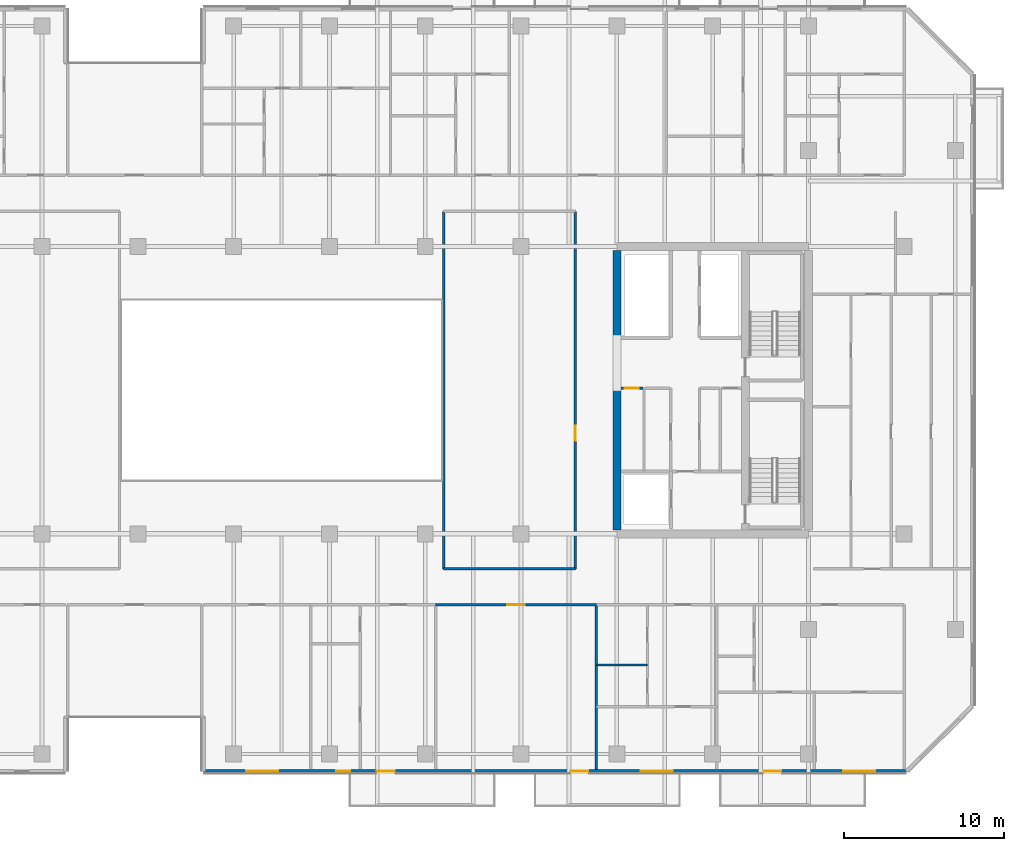
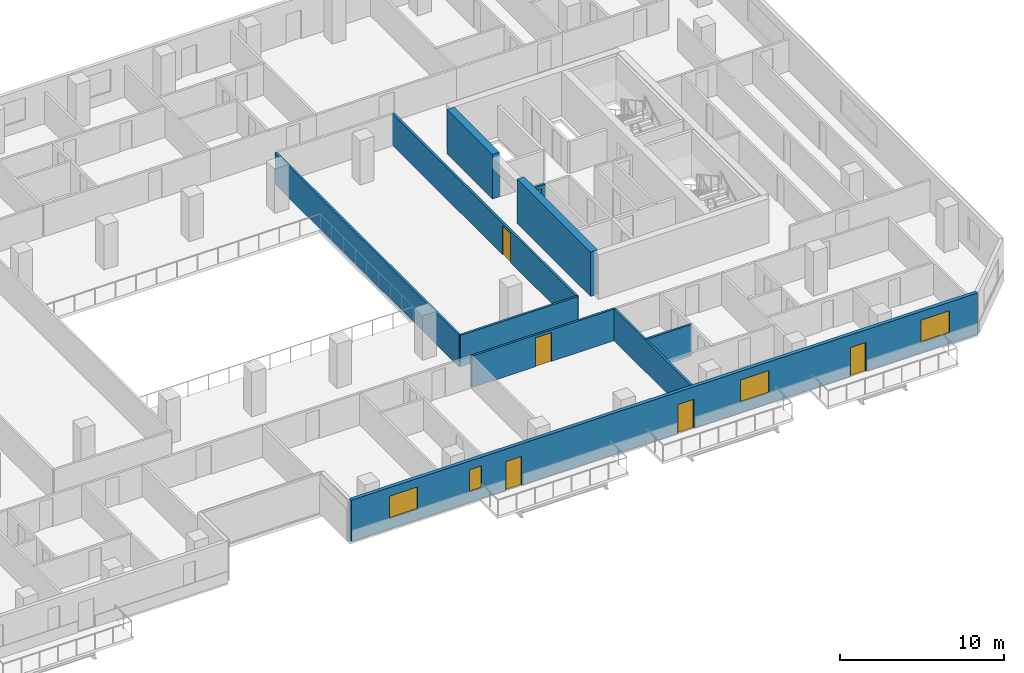
# One storey, part 12 of 23: 10 walls, 6 doors, 4 windows, 10 openings.
"""IFC4 building model written with IfcOpenShell, lengths in metres."""

from ifc_helpers import new_model, si_unit, direction, frame, frame_2d, origin, place, context, subcontext, project, spatial, rectangle, extrude, material, layer, layer_set, type_object, element, fill, save


model = new_model("IFC4")

# Units and contexts
model_context = context("Model", 3, precision=1e-05, world=origin(), true_north=direction((0.0, 1.0)))
body_context = subcontext(model_context, "Body", "Model", "MODEL_VIEW")
ifc_project = project(units=[si_unit("LENGTHUNIT", "METRE"), si_unit("AREAUNIT", "SQUARE_METRE"), si_unit("VOLUMEUNIT", "CUBIC_METRE"), si_unit("PLANEANGLEUNIT", "RADIAN"), si_unit("MASSUNIT", "GRAM", prefix="KILO")], contexts=[model_context])

# Site, building, storey
site_placement = place(None, origin())
site = spatial("IfcSite", under=ifc_project, at=site_placement, CompositionType="ELEMENT")
building_placement = place(site_placement, origin())
building = spatial("IfcBuilding", under=site, at=building_placement, Name="Tanjung Sevakor Pilgrim Tower", CompositionType="ELEMENT")
storey_placement = place(building_placement, frame((0.0, 0.0, 85.469970703125)))
storey = spatial("IfcBuildingStorey", under=building, at=storey_placement, Name="L23", CompositionType="ELEMENT", Elevation=85.469970703125)

# Walls
ifc_material_1 = material(Name="Concrete C60/75", Category="concrete")
ifc_layer_1 = layer(ifc_material_1, 0.5)
ifc_layer_set_1 = layer_set([ifc_layer_1], Name="WALL-CW-500")
wall_type_1 = type_object("IfcWallType", Name="WALL-CW-500", PredefinedType="SHEAR", material=ifc_layer_set_1)
wall_1_placement = place(storey_placement, frame((78.0, 24.85009765625, 0.0), z_axis=(0.0, 0.0, 1.0), x_axis=(0.0, 1.0, 0.0)))
element("IfcWall", 1, at=wall_1_placement, inside=storey, type_object=wall_type_1, Name="L23 E Core Inner Shear Wall South", PredefinedType="SHEAR", context=body_context, shape_type="SweptSolid", body=[
    extrude(rectangle(XDim=8.949951171875, YDim=0.5, at=frame_2d((4.47509765625, 0.0))), origin(), (0.0, 0.0, 1.0), 3.300048828125),
])
wall_2_placement = place(storey_placement, frame((78.0, 36.800048828125, 0.0), z_axis=(0.0, 0.0, 1.0), x_axis=(0.0, 1.0, 0.0)))
element("IfcWall", 2, at=wall_2_placement, inside=storey, type_object=wall_type_1, Name="L23 E Core Inner Shear Wall North", PredefinedType="SHEAR", context=body_context, shape_type="SweptSolid", body=[
    extrude(rectangle(XDim=5.550048828125, YDim=0.5, at=frame_2d((2.77490234375, 0.0))), origin(), (0.0, 0.0, 1.0), 3.300048828125),
])

# Wall, opening, door
ifc_material_2 = material(Name="Concrete C40/50", Category="concrete")
ifc_layer_2 = layer(ifc_material_2, 0.14990234375)
ifc_layer_set_2 = layer_set([ifc_layer_2], Name="WT-COMP-150")
wall_type_2 = type_object("IfcWallType", Name="WT-COMP-150", PredefinedType="SOLIDWALL", material=ifc_layer_set_2)
wall_3_placement = place(storey_placement, frame((78.27001953125, 33.719970703125, 0.0), z_axis=(0.0, 0.0, 1.0), x_axis=(1.0, 0.0, 0.0)))
wall_3 = element("IfcWall", 3, at=wall_3_placement, inside=storey, type_object=wall_type_2, Name="L23 Partition IW-L23-023", PredefinedType="SOLIDWALL", context=body_context, shape_type="SweptSolid", body=[
    extrude(rectangle(XDim=1.369873046875, YDim=0.14990234375, at=frame_2d((0.68505859375, 0.0))), origin(), (0.0, 0.0, 1.0), 2.35009765625),
])
opening_1_placement = place(wall_3_placement, frame((0.239990234375, 0.0, 0.0)))
opening_1 = element("IfcOpeningElement", 4, at=opening_1_placement, cuts=wall_3, Name="Opening ID-FD3", PredefinedType="OPENING", context=body_context, shape_type="SweptSolid", body=[
    extrude(rectangle(XDim=0.85009765625, YDim=2.10009765625, at=frame_2d((0.425048828125, 1.050048828125))), frame((0.0, 0.0849609375, 0.0), z_axis=(0.0, -1.0, 0.0), x_axis=(1.0, 0.0, 0.0)), (0.0, 0.0, 1.0), 0.169921875),
])
ifc_material_3 = material(Name="Fire-Rated Timber", Category="wood")
door_type_1 = type_object("IfcDoorType", Name="DT-FIRE-850", OperationType="NOTDEFINED", PredefinedType="DOOR", material=ifc_material_3)
door_1_placement = place(opening_1_placement, origin())
door_1 = element("IfcDoor", 5, at=door_1_placement, inside=storey, type_object=door_type_1, Name="L23 Service Store Door", OperationType="SINGLE_SWING_LEFT", OverallHeight=2.10009765625, OverallWidth=0.85009765625, PredefinedType="DOOR", context=body_context, shape_type="SweptSolid", body=[
    extrude(rectangle(XDim=0.85009765625, YDim=2.10009765625, at=frame_2d((0.425048828125, 1.050048828125))), frame((0.0, 0.02490234375, 0.0), z_axis=(0.0, -1.0, 0.0), x_axis=(1.0, 0.0, 0.0)), (0.0, 0.0, 1.0), 0.050048828125),
])
fill(opening_1, door_1)

# Walls
wall_4_placement = place(storey_placement, frame((67.14990234375, 22.39990234375, 0.0), z_axis=(0.0, 0.0, 1.0), x_axis=(1.0, 0.0, 0.0)))
element("IfcWall", 6, at=wall_4_placement, inside=storey, type_object=wall_type_2, Name="L23 Partition IW-L23-033", PredefinedType="SOLIDWALL", context=body_context, shape_type="SweptSolid", body=[
    extrude(rectangle(XDim=8.25, YDim=0.14990234375, at=frame_2d((4.125, 0.0))), origin(), (0.0, 0.0, 1.0), 2.35009765625),
])
wall_5_placement = place(storey_placement, frame((67.14990234375, 22.39990234375, 0.0), z_axis=(0.0, 0.0, 1.0), x_axis=(0.0, 1.0, 0.0)))
element("IfcWall", 7, at=wall_5_placement, inside=storey, type_object=wall_type_2, Name="L23 Partition IW-L23-035", PredefinedType="SOLIDWALL", context=body_context, shape_type="SweptSolid", body=[
    extrude(rectangle(XDim=22.400146484375, YDim=0.14990234375, at=frame_2d((11.2001953125, 0.0))), origin(), (0.0, 0.0, 1.0), 2.35009765625),
])

# Wall, opening, door
wall_6_placement = place(storey_placement, frame((75.39990234375, 22.39990234375, 0.0), z_axis=(0.0, 0.0, 1.0), x_axis=(0.0, 1.0, 0.0)))
wall_6 = element("IfcWall", 8, at=wall_6_placement, inside=storey, type_object=wall_type_2, Name="L23 Partition IW-L23-036", PredefinedType="SOLIDWALL", context=body_context, shape_type="SweptSolid", body=[
    extrude(rectangle(XDim=22.400146484375, YDim=0.14990234375, at=frame_2d((11.2001953125, 0.0))), origin(), (0.0, 0.0, 1.0), 2.35009765625),
])
opening_2_placement = place(wall_6_placement, frame((8.02490234375, 0.0, 0.0)))
opening_2 = element("IfcOpeningElement", 9, at=opening_2_placement, cuts=wall_6, Name="Opening ID-RM1", PredefinedType="OPENING", context=body_context, shape_type="SweptSolid", body=[
    extrude(rectangle(XDim=0.949951171875, YDim=2.14990234375, at=frame_2d((0.47509765625, 1.074951171875))), frame((0.0, 0.0849609375, 0.0), z_axis=(0.0, -1.0, 0.0), x_axis=(1.0, 0.0, 0.0)), (0.0, 0.0, 1.0), 0.169921875),
])
ifc_material_4 = material(Name="Hardwood Timber", Category="wood")
door_type_2 = type_object("IfcDoorType", Name="DT-INT-950", OperationType="NOTDEFINED", PredefinedType="DOOR", material=ifc_material_4)
door_2_placement = place(opening_2_placement, origin())
door_2 = element("IfcDoor", 10, at=door_2_placement, inside=storey, type_object=door_type_2, Name="L23 Central East Room Door", OperationType="SINGLE_SWING_RIGHT", OverallHeight=2.14990234375, OverallWidth=0.949951171875, PredefinedType="DOOR", context=body_context, shape_type="SweptSolid", body=[
    extrude(rectangle(XDim=0.949951171875, YDim=2.14990234375, at=frame_2d((0.47509765625, 1.074951171875))), frame((0.0, 0.02490234375, 0.0), z_axis=(0.0, -1.0, 0.0), x_axis=(1.0, 0.0, 0.0)), (0.0, 0.0, 1.0), 0.050048828125),
])
fill(opening_2, door_2)

# Wall
wall_7_placement = place(storey_placement, frame((76.715087890625, 9.85009765625, 0.0), z_axis=(0.0, 0.0, 1.0), x_axis=(0.0, 1.0, 0.0)))
element("IfcWall", 11, at=wall_7_placement, inside=storey, type_object=wall_type_2, Name="L23 Partition IW-L23-071", PredefinedType="SOLIDWALL", context=body_context, shape_type="SweptSolid", body=[
    extrude(rectangle(XDim=10.2998046875, YDim=0.14990234375, at=frame_2d((5.14990234375, 0.0))), origin(), (0.0, 0.0, 1.0), 2.35009765625),
])

# Wall, opening, door
wall_8_placement = place(storey_placement, frame((66.653564453125, 20.14990234375, 0.0), z_axis=(0.0, 0.0, 1.0), x_axis=(1.0, 0.0, 0.0)))
wall_8 = element("IfcWall", 12, at=wall_8_placement, inside=storey, type_object=wall_type_2, Name="L23 Partition IW-L23-072", PredefinedType="SOLIDWALL", context=body_context, shape_type="SweptSolid", body=[
    extrude(rectangle(XDim=10.0615234375, YDim=0.14990234375, at=frame_2d((5.03076171875, 0.0))), origin(), (0.0, 0.0, 1.0), 2.35009765625),
])
opening_3_placement = place(wall_8_placement, frame((4.48095703125, 0.0, 0.0)))
opening_3 = element("IfcOpeningElement", 13, at=opening_3_placement, cuts=wall_8, Name="Opening ID-FD0", PredefinedType="OPENING", context=body_context, shape_type="SweptSolid", body=[
    extrude(rectangle(XDim=1.10009765625, YDim=2.14990234375, at=frame_2d((0.550048828125, 1.074951171875))), frame((0.0, 0.0849609375, 0.0), z_axis=(0.0, -1.0, 0.0), x_axis=(1.0, 0.0, 0.0)), (0.0, 0.0, 1.0), 0.169921875),
])
ifc_material_5 = material(Name="Fire-Rated Steel S355J2", Category="steel")
door_type_3 = type_object("IfcDoorType", Name="DT-FIRE-1100", OperationType="NOTDEFINED", PredefinedType="DOOR", material=ifc_material_5)
door_3_placement = place(opening_3_placement, origin())
door_3 = element("IfcDoor", 14, at=door_3_placement, inside=storey, type_object=door_type_3, Name="Seminar Room Door", OperationType="SINGLE_SWING_RIGHT", OverallHeight=2.14990234375, OverallWidth=1.10009765625, PredefinedType="DOOR", context=body_context, shape_type="SweptSolid", body=[
    extrude(rectangle(XDim=1.10009765625, YDim=2.14990234375, at=frame_2d((0.550048828125, 1.074951171875))), frame((0.0, 0.02490234375, 0.0), z_axis=(0.0, -1.0, 0.0), x_axis=(1.0, 0.0, 0.0)), (0.0, 0.0, 1.0), 0.050048828125),
])
fill(opening_3, door_3)

# Wall, openings, doors, windows
ifc_material_6 = material(Name="Precast concrete C45/55", Category="concrete")
ifc_layer_3 = layer(ifc_material_6, 0.25)
ifc_layer_set_3 = layer_set([ifc_layer_3], Name="WT-EW-STN3")
wall_type_3 = type_object("IfcWallType", Name="WT-EW-STN3", PredefinedType="SOLIDWALL", material=ifc_layer_set_3)
wall_9_placement = place(storey_placement, frame((52.125, 9.72509765625, 0.0), z_axis=(0.0, 0.0, 1.0), x_axis=(1.0, 0.0, 0.0)))
wall_9 = element("IfcWall", 15, at=wall_9_placement, inside=storey, type_object=wall_type_3, Name="L23 MAIN Exterior Wall 5", PredefinedType="SOLIDWALL", context=body_context, shape_type="SweptSolid", body=[
    extrude(rectangle(XDim=44.023193359375, YDim=0.25, at=frame_2d((22.01171875, 0.0))), origin(), (0.0, 0.0, 1.0), 3.080078125),
])
opening_4_placement = place(wall_9_placement, frame((10.875, 0.0, 0.0)))
opening_4 = element("IfcOpeningElement", 16, at=opening_4_placement, cuts=wall_9, Name="Opening ED-BAL-1100", PredefinedType="OPENING", context=body_context, shape_type="SweptSolid", body=[
    extrude(rectangle(XDim=1.10009765625, YDim=2.14990234375, at=frame_2d((0.550048828125, 1.074951171875))), frame((0.0, 0.135009765625, 0.0), z_axis=(0.0, -1.0, 0.0), x_axis=(1.0, 0.0, 0.0)), (0.0, 0.0, 1.0), 0.27001953125),
])
opening_5_placement = place(wall_9_placement, frame((22.97509765625, 0.0, 0.0)))
opening_5 = element("IfcOpeningElement", 17, at=opening_5_placement, cuts=wall_9, Name="Opening ED-BAL-1100", PredefinedType="OPENING", context=body_context, shape_type="SweptSolid", body=[
    extrude(rectangle(XDim=1.10009765625, YDim=2.14990234375, at=frame_2d((0.550048828125, 1.074951171875))), frame((0.0, 0.135009765625, 0.0), z_axis=(0.0, -1.0, 0.0), x_axis=(1.0, 0.0, 0.0)), (0.0, 0.0, 1.0), 0.27001953125),
])
opening_6_placement = place(wall_9_placement, frame((35.074951171875, 0.0, 0.0)))
opening_6 = element("IfcOpeningElement", 18, at=opening_6_placement, cuts=wall_9, Name="Opening ED-BAL-1100", PredefinedType="OPENING", context=body_context, shape_type="SweptSolid", body=[
    extrude(rectangle(XDim=1.10009765625, YDim=2.14990234375, at=frame_2d((0.550048828125, 1.074951171875))), frame((0.0, 0.135009765625, 0.0), z_axis=(0.0, -1.0, 0.0), x_axis=(1.0, 0.0, 0.0)), (0.0, 0.0, 1.0), 0.27001953125),
])
opening_7_placement = place(wall_9_placement, frame((2.6689453125, 0.0, 0.780029296875)))
opening_7 = element("IfcOpeningElement", 19, at=opening_7_placement, cuts=wall_9, Name="Opening WN-Z2-1660", PredefinedType="OPENING", context=body_context, shape_type="SweptSolid", body=[
    extrude(rectangle(XDim=2.0, YDim=1.659912109375, at=frame_2d((1.0, 0.830078125))), frame((0.0, 0.135009765625, 0.0), z_axis=(0.0, -1.0, 0.0), x_axis=(1.0, 0.0, 0.0)), (0.0, 0.0, 1.0), 0.27001953125),
])
opening_8_placement = place(wall_9_placement, frame((8.31396484375, 0.0, 0.780029296875)))
opening_8 = element("IfcOpeningElement", 20, at=opening_8_placement, cuts=wall_9, Name="Opening WN-SLM", PredefinedType="OPENING", context=body_context, shape_type="SweptSolid", body=[
    extrude(rectangle(XDim=0.85009765625, YDim=1.64990234375, at=frame_2d((0.425048828125, 0.824951171875))), frame((0.0, 0.135009765625, 0.0), z_axis=(0.0, -1.0, 0.0), x_axis=(1.0, 0.0, 0.0)), (0.0, 0.0, 1.0), 0.27001953125),
])
opening_9_placement = place(wall_9_placement, frame((27.36328125, 0.0, 0.780029296875)))
opening_9 = element("IfcOpeningElement", 21, at=opening_9_placement, cuts=wall_9, Name="Opening WN-Z2-1660", PredefinedType="OPENING", context=body_context, shape_type="SweptSolid", body=[
    extrude(rectangle(XDim=2.0, YDim=1.659912109375, at=frame_2d((1.0, 0.830078125))), frame((0.0, 0.135009765625, 0.0), z_axis=(0.0, -1.0, 0.0), x_axis=(1.0, 0.0, 0.0)), (0.0, 0.0, 1.0), 0.27001953125),
])
opening_10_placement = place(wall_9_placement, frame((40.0478515625, 0.0, 0.780029296875)))
opening_10 = element("IfcOpeningElement", 22, at=opening_10_placement, cuts=wall_9, Name="Opening WN-Z2-1660", PredefinedType="OPENING", context=body_context, shape_type="SweptSolid", body=[
    extrude(rectangle(XDim=2.0, YDim=1.659912109375, at=frame_2d((1.0, 0.830078125))), frame((0.0, 0.135009765625, 0.0), z_axis=(0.0, -1.0, 0.0), x_axis=(1.0, 0.0, 0.0)), (0.0, 0.0, 1.0), 0.27001953125),
])
ifc_material_7 = material(Name="Anodised Aluminium and Laminated Glass", Category="aluminium")
door_type_4 = type_object("IfcDoorType", Name="DTYP-ED-BAL-1100", OperationType="NOTDEFINED", PredefinedType="DOOR", material=ifc_material_7)
door_4_placement = place(opening_4_placement, frame((1.10009765625, 0.0, 0.0), z_axis=(0.0, 0.0, 1.0), x_axis=(-1.0, 0.0, 0.0)))
door_4 = element("IfcDoor", 23, at=door_4_placement, inside=storey, type_object=door_type_4, Name="L23 Balcony Door MAIN-S2", OperationType="SINGLE_SWING_LEFT", OverallHeight=2.14990234375, OverallWidth=1.10009765625, PredefinedType="DOOR", context=body_context, shape_type="SweptSolid", body=[
    extrude(rectangle(XDim=1.10009765625, YDim=2.14990234375, at=frame_2d((0.550048828125, 1.074951171875))), frame((0.0, 0.02490234375, 0.0), z_axis=(0.0, -1.0, 0.0), x_axis=(1.0, 0.0, 0.0)), (0.0, 0.0, 1.0), 0.050048828125),
])
fill(opening_4, door_4)
door_5_placement = place(opening_5_placement, frame((1.10009765625, 0.0, 0.0), z_axis=(0.0, 0.0, 1.0), x_axis=(-1.0, 0.0, 0.0)))
door_5 = element("IfcDoor", 24, at=door_5_placement, inside=storey, type_object=door_type_4, Name="L23 Balcony Door MAIN-S3", OperationType="SINGLE_SWING_RIGHT", OverallHeight=2.14990234375, OverallWidth=1.10009765625, PredefinedType="DOOR", context=body_context, shape_type="SweptSolid", body=[
    extrude(rectangle(XDim=1.10009765625, YDim=2.14990234375, at=frame_2d((0.550048828125, 1.074951171875))), frame((0.0, 0.02490234375, 0.0), z_axis=(0.0, -1.0, 0.0), x_axis=(1.0, 0.0, 0.0)), (0.0, 0.0, 1.0), 0.050048828125),
])
fill(opening_5, door_5)
door_6_placement = place(opening_6_placement, frame((1.10009765625, 0.0, 0.0), z_axis=(0.0, 0.0, 1.0), x_axis=(-1.0, 0.0, 0.0)))
door_6 = element("IfcDoor", 25, at=door_6_placement, inside=storey, type_object=door_type_4, Name="L23 Balcony Door MAIN-S4", OperationType="SINGLE_SWING_LEFT", OverallHeight=2.14990234375, OverallWidth=1.10009765625, PredefinedType="DOOR", context=body_context, shape_type="SweptSolid", body=[
    extrude(rectangle(XDim=1.10009765625, YDim=2.14990234375, at=frame_2d((0.550048828125, 1.074951171875))), frame((0.0, 0.02490234375, 0.0), z_axis=(0.0, -1.0, 0.0), x_axis=(1.0, 0.0, 0.0)), (0.0, 0.0, 1.0), 0.050048828125),
])
fill(opening_6, door_6)
ifc_material_8 = material(Name="Thermally Broken Aluminium and Low-E Glass", Category="aluminium")
window_type_1 = type_object("IfcWindowType", Name="WTYP-WN-SLM", PartitioningType="SINGLE_PANEL", PredefinedType="WINDOW", material=ifc_material_8)
window_1_placement = place(opening_8_placement, origin())
window_1 = element("IfcWindow", 26, at=window_1_placement, inside=storey, type_object=window_type_1, Name="L23 Facade Window 02", OverallHeight=1.64990234375, OverallWidth=0.85009765625, PartitioningType="SINGLE_PANEL", PredefinedType="WINDOW", context=body_context, shape_type="SweptSolid", body=[
    extrude(rectangle(XDim=0.85009765625, YDim=1.64990234375, at=frame_2d((0.425048828125, 0.824951171875))), frame((0.0, 0.030029296875, 0.0), z_axis=(0.0, -1.0, 0.0), x_axis=(1.0, 0.0, 0.0)), (0.0, 0.0, 1.0), 0.06005859375),
])
fill(opening_8, window_1)
ifc_material_9 = material(Name="Thermally Broken Aluminium and Low-E Glass", Category="aluminium")
window_type_2 = type_object("IfcWindowType", Name="WTYP-WN-Z2-1660", PartitioningType="DOUBLE_PANEL_VERTICAL", PredefinedType="WINDOW", material=ifc_material_9)
window_2_placement = place(opening_7_placement, origin())
window_2 = element("IfcWindow", 27, at=window_2_placement, inside=storey, type_object=window_type_2, Name="L23 Facade Window 01", OverallHeight=1.659912109375, OverallWidth=2.0, PartitioningType="SINGLE_PANEL", PredefinedType="WINDOW", context=body_context, shape_type="SweptSolid", body=[
    extrude(rectangle(XDim=2.0, YDim=1.659912109375, at=frame_2d((1.0, 0.830078125))), frame((0.0, 0.030029296875, 0.0), z_axis=(0.0, -1.0, 0.0), x_axis=(1.0, 0.0, 0.0)), (0.0, 0.0, 1.0), 0.06005859375),
])
fill(opening_7, window_2)
window_3_placement = place(opening_9_placement, origin())
window_3 = element("IfcWindow", 28, at=window_3_placement, inside=storey, type_object=window_type_2, Name="L23 Facade Window 03", OverallHeight=1.659912109375, OverallWidth=2.0, PartitioningType="SINGLE_PANEL", PredefinedType="WINDOW", context=body_context, shape_type="SweptSolid", body=[
    extrude(rectangle(XDim=2.0, YDim=1.659912109375, at=frame_2d((1.0, 0.830078125))), frame((0.0, 0.030029296875, 0.0), z_axis=(0.0, -1.0, 0.0), x_axis=(1.0, 0.0, 0.0)), (0.0, 0.0, 1.0), 0.06005859375),
])
fill(opening_9, window_3)
window_4_placement = place(opening_10_placement, origin())
window_4 = element("IfcWindow", 29, at=window_4_placement, inside=storey, type_object=window_type_2, Name="L23 Facade Window 04", OverallHeight=1.659912109375, OverallWidth=2.0, PartitioningType="SINGLE_PANEL", PredefinedType="WINDOW", context=body_context, shape_type="SweptSolid", body=[
    extrude(rectangle(XDim=2.0, YDim=1.659912109375, at=frame_2d((1.0, 0.830078125))), frame((0.0, 0.030029296875, 0.0), z_axis=(0.0, -1.0, 0.0), x_axis=(1.0, 0.0, 0.0)), (0.0, 0.0, 1.0), 0.06005859375),
])
fill(opening_10, window_4)

# Wall
ifc_material_10 = material(Name="Gypsum Board Partition", Category="gypsum board")
ifc_layer_4 = layer(ifc_material_10, 0.14990234375)
ifc_layer_set_4 = layer_set([ifc_layer_4], Name="WT-PART-150")
wall_type_4 = type_object("IfcWallType", Name="WT-PART-150", PredefinedType="PARTITIONING", material=ifc_layer_set_4)
wall_10_placement = place(storey_placement, frame((76.715087890625, 16.37939453125, 0.0), z_axis=(0.0, 0.0, 1.0), x_axis=(1.0, 0.0, 0.0)))
element("IfcWall", 30, at=wall_10_placement, inside=storey, type_object=wall_type_4, Name="L23 Partition IW-L23-074", PredefinedType="PARTITIONING", context=body_context, shape_type="SweptSolid", body=[
    extrude(rectangle(XDim=3.204833984375, YDim=0.14990234375, at=frame_2d((1.6025390625, 0.0))), origin(), (0.0, 0.0, 1.0), 2.35009765625),
])

save(model, "model.ifc")
